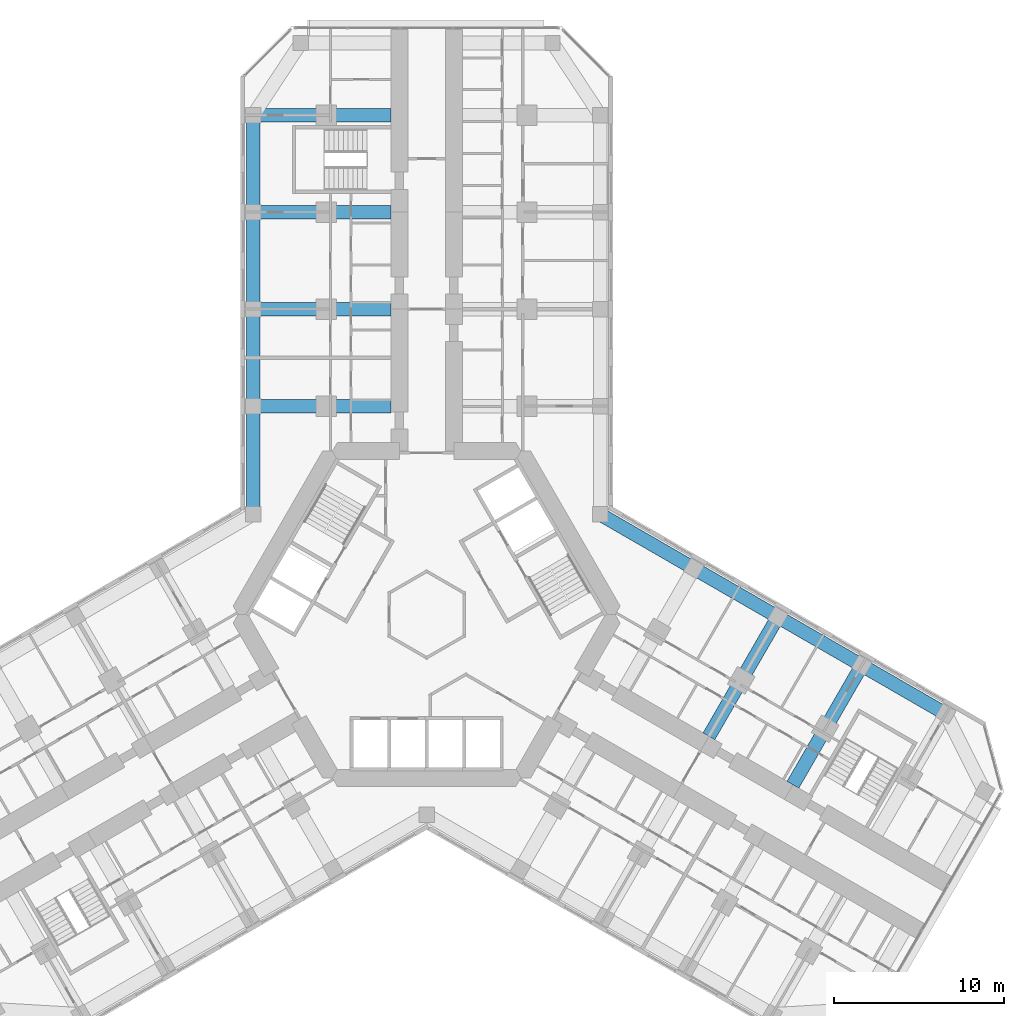
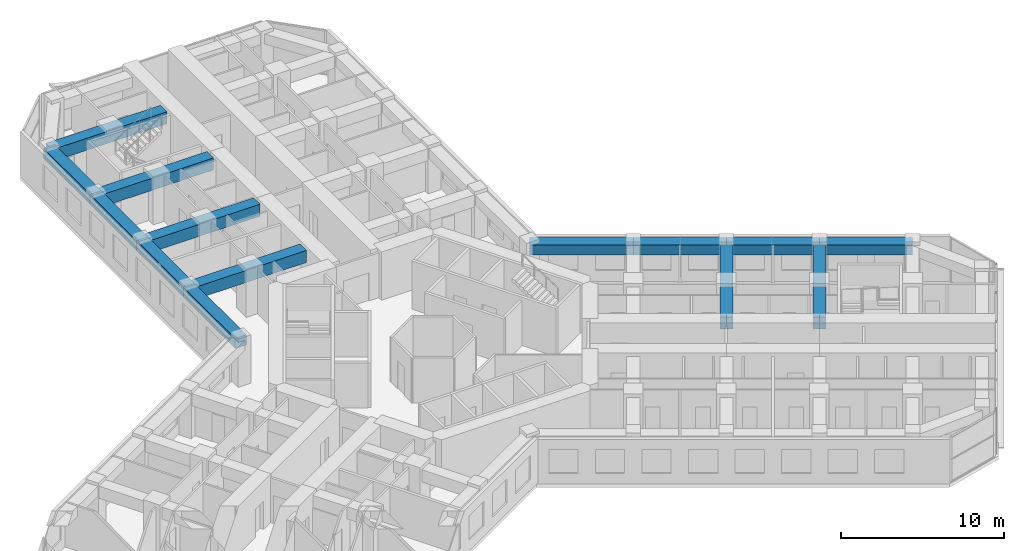
# One storey, part 6 of 21: 14 beams.
"""IFC4 building model written with IfcOpenShell, lengths in metres."""

from ifc_helpers import new_model, si_unit, direction, frame, origin, origin_2d, place, context, subcontext, project, spatial, rectangle, extrude, material, material_profile, profile_set, type_object, element, save


model = new_model("IFC4")

# Units and contexts
model_context = context("Model", 3, precision=1e-05, world=origin(), true_north=direction((0.0, 1.0)))
body_context = subcontext(model_context, "Body", "Model", "MODEL_VIEW")
ifc_project = project(units=[si_unit("LENGTHUNIT", "METRE"), si_unit("AREAUNIT", "SQUARE_METRE"), si_unit("VOLUMEUNIT", "CUBIC_METRE"), si_unit("PLANEANGLEUNIT", "RADIAN"), si_unit("MASSUNIT", "GRAM", prefix="KILO")], contexts=[model_context])

# Site, building, storey
site_placement = place(None, origin())
site = spatial("IfcSite", under=ifc_project, at=site_placement, CompositionType="ELEMENT")
building_placement = place(site_placement, origin())
building = spatial("IfcBuilding", under=site, at=building_placement, Name="Kosmar Iwan School Tower", CompositionType="ELEMENT")
storey_placement = place(building_placement, frame((0.0, 0.0, 106.0)))
storey = spatial("IfcBuildingStorey", under=building, at=storey_placement, Name="L26", CompositionType="ELEMENT", Elevation=106.0)

# Beams
ifc_material_1 = material(Name="Concrete C50/60", Category="concrete")
ifc_material_profile_1 = material_profile(ifc_material_1, rectangle(XDim=0.800048828125, YDim=0.75, at=origin_2d()), Name="RC 800x750")
ifc_profile_set_1 = profile_set([ifc_material_profile_1], Name="Concrete C50/60")
beam_type_1 = type_object("IfcBeamType", Name="RC edge beam 800x750", PredefinedType="BEAM", material=ifc_profile_set_1)
beam_1_placement = place(storey_placement, frame((-10.199951171875, 5.888916015625, 2.97509765625), z_axis=(0.0, 1.0, 0.0), x_axis=(-1.0, 0.0, 0.0)))
element("IfcBeam", 1, at=beam_1_placement, inside=storey, type_object=beam_type_1, Name="Edge beam AL1", PredefinedType="BEAM", context=body_context, shape_type="SweptSolid", body=[
    extrude(rectangle(XDim=0.800048828125, YDim=0.75, at=origin_2d()), origin(), (0.0, 0.0, 1.0), 6.361083984375),
])
for number, where, z_axis, x_axis, name in (
    (2, (-10.199951171875, 12.25, 2.97509765625), (0.0, 1.0, 0.0), (-1.0, 0.0, 0.0), "Edge beam AL2"),
    (3, (-10.199951171875, 17.949951171875, 2.97509765625), (0.0, 1.0, 0.0), (-1.0, 0.0, 0.0), "Edge beam AL3"),
):
    element("IfcBeam", number, at=place(storey_placement, frame(where, z_axis=z_axis, x_axis=x_axis)), inside=storey, type_object=beam_type_1, Name=name, PredefinedType="BEAM", context=body_context, shape_type="SweptSolid", body=[
        extrude(rectangle(XDim=0.800048828125, YDim=0.75, at=origin_2d()), origin(), (0.0, 0.0, 1.0), 5.699951171875),
    ])
beam_2_placement = place(storey_placement, frame((-10.199951171875, 23.64990234375, 2.97509765625), z_axis=(0.0, 1.0, 0.0), x_axis=(-1.0, 0.0, 0.0)))
element("IfcBeam", 4, at=beam_2_placement, inside=storey, type_object=beam_type_1, Name="Edge beam AL4", PredefinedType="BEAM", context=body_context, shape_type="SweptSolid", body=[
    extrude(rectangle(XDim=0.800048828125, YDim=0.75, at=origin_2d()), origin(), (0.0, 0.0, 1.0), 5.7001953125),
])
beam_3_placement = place(storey_placement, frame((10.199951171875, 5.888916015625, 2.97509765625), z_axis=(0.866030912664, -0.49999045822, 0.0), x_axis=(0.49999045822, 0.866030912664, 0.0)))
element("IfcBeam", 5, at=beam_3_placement, inside=storey, type_object=beam_type_1, Name="Edge beam CL1", PredefinedType="BEAM", context=body_context, shape_type="SweptSolid", body=[
    extrude(rectangle(XDim=0.800048828125, YDim=0.75, at=origin_2d()), origin(), (0.0, 0.0, 1.0), 6.36083984375),
])
beam_4_placement = place(storey_placement, frame((15.708740234375, 2.70849609375, 2.97509765625), z_axis=(0.866025820012, -0.499999279071, 0.0), x_axis=(0.499999279071, 0.866025820012, 0.0)))
element("IfcBeam", 6, at=beam_4_placement, inside=storey, type_object=beam_type_1, Name="Edge beam CL2", PredefinedType="BEAM", context=body_context, shape_type="SweptSolid", body=[
    extrude(rectangle(XDim=0.800048828125, YDim=0.75, at=origin_2d()), origin(), (0.0, 0.0, 1.0), 5.7001953125),
])
for number, where, z_axis, x_axis, name in (
    (7, (20.645263671875, -0.1416015625, 2.97509765625), (0.866033658841, -0.49998570155, 0.0), (0.49998570155, 0.866033658841, 0.0), "Edge beam CL3"),
    (8, (25.58154296875, -2.991455078125, 2.97509765625), (0.866015111908, -0.50001782563, 0.0), (0.50001782563, 0.866015111908, 0.0), "Edge beam CL4"),
):
    element("IfcBeam", number, at=place(storey_placement, frame(where, z_axis=z_axis, x_axis=x_axis)), inside=storey, type_object=beam_type_1, Name=name, PredefinedType="BEAM", context=body_context, shape_type="SweptSolid", body=[
        extrude(rectangle(XDim=0.800048828125, YDim=0.75, at=origin_2d()), origin(), (0.0, 0.0, 1.0), 5.699951171875),
    ])
ifc_material_2 = material(Name="Concrete C50/60", Category="concrete")
ifc_material_profile_2 = material_profile(ifc_material_2, rectangle(XDim=0.800048828125, YDim=0.89990234375, at=origin_2d()), Name="RC 800x900")
ifc_profile_set_2 = profile_set([ifc_material_profile_2], Name="Concrete C50/60")
beam_type_2 = type_object("IfcBeamType", Name="RC transverse beam 800x900", PredefinedType="BEAM", material=ifc_profile_set_2)
for number, where, z_axis, x_axis, name in (
    (9, (-10.199951171875, 12.25, 2.89990234375), (1.0, 0.0, 0.0), (0.0, 1.0, 0.0), "Transverse beam AL1"),
    (10, (-10.199951171875, 17.949951171875, 2.89990234375), (1.0, 0.0, 0.0), (0.0, 1.0, 0.0), "Transverse beam AL2"),
    (11, (-10.199951171875, 23.64990234375, 2.89990234375), (1.0, 0.0, 0.0), (0.0, 1.0, 0.0), "Transverse beam AL3"),
    (12, (-10.199951171875, 29.35009765625, 2.89990234375), (1.0, 0.0, 0.0), (0.0, 1.0, 0.0), "Transverse beam AL4"),
    (13, (20.645263671875, -0.1416015625, 2.89990234375), (-0.500012932018, -0.866017937352, 0.0), (0.866017937352, -0.500012932018, 0.0), "Transverse beam CL2"),
):
    element("IfcBeam", number, at=place(storey_placement, frame(where, z_axis=z_axis, x_axis=x_axis)), inside=storey, type_object=beam_type_2, Name=name, PredefinedType="BEAM", context=body_context, shape_type="SweptSolid", body=[
        extrude(rectangle(XDim=0.800048828125, YDim=0.89990234375, at=origin_2d()), origin(), (0.0, 0.0, 1.0), 8.099853515625),
    ])
beam_5_placement = place(storey_placement, frame((25.58154296875, -2.991455078125, 2.89990234375), z_axis=(-0.499999880539, -0.866025472755, 0.0), x_axis=(0.866025472755, -0.499999880539, 0.0)))
element("IfcBeam", 14, at=beam_5_placement, inside=storey, type_object=beam_type_2, Name="Transverse beam CL3", PredefinedType="BEAM", context=body_context, shape_type="SweptSolid", body=[
    extrude(rectangle(XDim=0.800048828125, YDim=0.89990234375, at=origin_2d()), origin(), (0.0, 0.0, 1.0), 8.10009765625),
])

save(model, "model.ifc")
